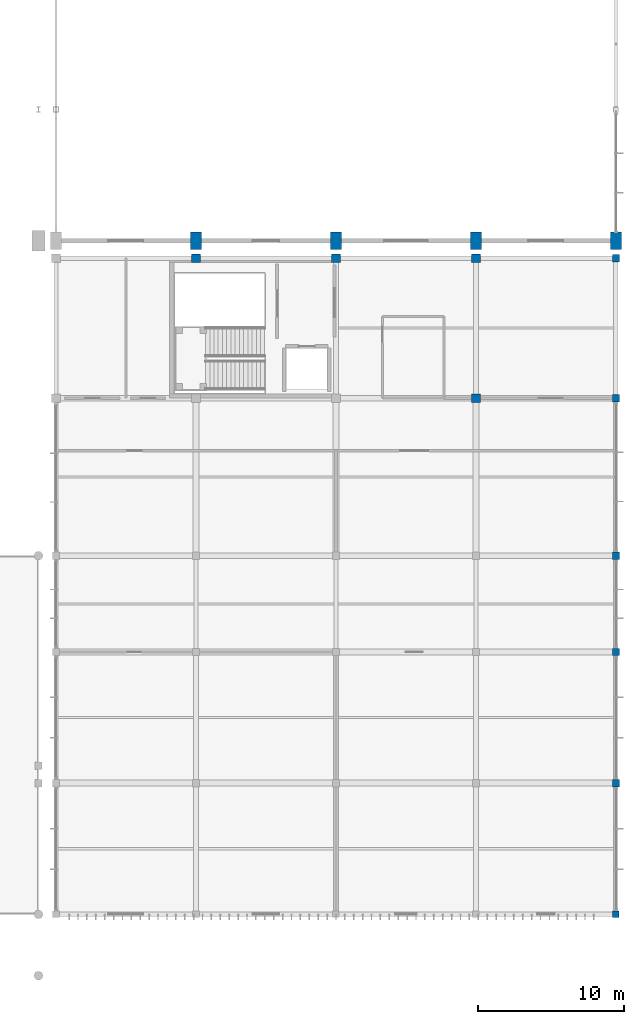
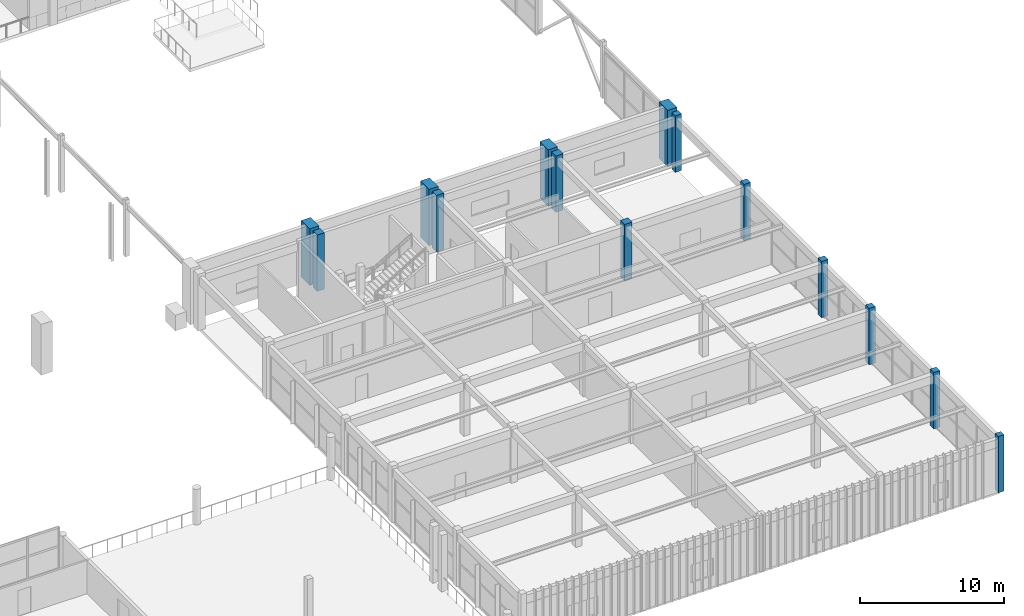
# One storey, part 8 of 74: 14 columns.
"""IFC4 building model written with IfcOpenShell, lengths in metres."""

from ifc_helpers import new_model, si_unit, direction, frame, origin, origin_2d, place, context, subcontext, project, spatial, rectangle, extrude, material, material_profile, profile_set, type_object, element, save


model = new_model("IFC4")

# Units and contexts
model_context = context("Model", 3, precision=1e-05, world=origin(), true_north=direction((0.0, 1.0)))
body_context = subcontext(model_context, "Body", "Model", "MODEL_VIEW")
ifc_project = project(units=[si_unit("LENGTHUNIT", "METRE"), si_unit("AREAUNIT", "SQUARE_METRE"), si_unit("VOLUMEUNIT", "CUBIC_METRE"), si_unit("PLANEANGLEUNIT", "RADIAN"), si_unit("MASSUNIT", "GRAM", prefix="KILO")], contexts=[model_context])

# Site, building, storey
site_placement = place(None, origin())
site = spatial("IfcSite", under=ifc_project, at=site_placement, CompositionType="ELEMENT")
building_placement = place(site_placement, origin())
building = spatial("IfcBuilding", under=site, at=building_placement, Name="Suirenkawa Promenade Aquatics Centre", CompositionType="ELEMENT")
storey_placement = place(building_placement, frame((0.0, 0.0, 4.800048828125)))
storey = spatial("IfcBuildingStorey", under=building, at=storey_placement, Name="L01", CompositionType="ELEMENT", Elevation=4.800048828125)

# Columns
ifc_material = material(Name="Concrete M40", Category="concrete")
ifc_material_profile_1 = material_profile(ifc_material, rectangle(XDim=0.75, YDim=1.199951171875, at=origin_2d()), Name="RC PIER 750x1200", Category="concrete")
ifc_profile_set_1 = profile_set([ifc_material_profile_1], Name="Concrete M40")
column_type_1 = type_object("IfcColumnType", Name="CT-PIER-750x1200", PredefinedType="COLUMN", material=ifc_profile_set_1)
for number, where, z_axis, x_axis, name in (
    (1, (165.60009765625, 50.39990234375, 0.0), (0.0, 0.0, 1.0), (1.0, 0.0, 0.0), "Column CL-08 COL-0086"),
    (2, (175.199951171875, 50.39990234375, 0.0), (0.0, 0.0, 1.0), (1.0, 0.0, 0.0), "Column CL-08 COL-0090"),
    (3, (184.800048828125, 50.39990234375, 0.0), (0.0, 0.0, 1.0), (1.0, 0.0, 0.0), "Column CL-08 COL-0094"),
    (4, (194.39990234375, 50.39990234375, 0.0), (0.0, 0.0, 1.0), (1.0, 0.0, 0.0), "Column CL-08 COL-0098"),
):
    element("IfcColumn", number, at=place(storey_placement, frame(where, z_axis=z_axis, x_axis=x_axis)), inside=storey, type_object=column_type_1, Name=name, PredefinedType="COLUMN", context=body_context, shape_type="SweptSolid", body=[
        extrude(rectangle(XDim=0.75, YDim=1.199951171875, at=origin_2d()), origin(), (0.0, 0.0, 1.0), 4.800048828125),
    ])
ifc_material_profile_2 = material_profile(ifc_material, rectangle(XDim=0.449951171875, YDim=0.449951171875, at=origin_2d()), Name="RC COL 450x450", Category="concrete")
ifc_profile_set_2 = profile_set([ifc_material_profile_2], Name="Concrete M40")
column_type_2 = type_object("IfcColumnType", Name="CT-RC-450", PredefinedType="COLUMN", material=ifc_profile_set_2)
column_placement = place(storey_placement, frame((194.39990234375, 4.199951171875, 0.0), z_axis=(0.0, 0.0, 1.0), x_axis=(1.0, 0.0, 0.0)))
element("IfcColumn", 5, at=column_placement, inside=storey, type_object=column_type_2, Name="Column CL-01 COL-0934", PredefinedType="COLUMN", context=body_context, shape_type="SweptSolid", body=[
    extrude(rectangle(XDim=0.449951171875, YDim=0.449951171875, at=origin_2d()), origin(), (0.0, 0.0, 1.0), 4.800048828125),
])
ifc_material_profile_3 = material_profile(ifc_material, rectangle(XDim=0.5, YDim=0.5, at=origin_2d()), Name="RC COL 500x500", Category="concrete")
ifc_profile_set_3 = profile_set([ifc_material_profile_3], Name="Concrete M40")
column_type_3 = type_object("IfcColumnType", Name="CT-RC-500", PredefinedType="COLUMN", material=ifc_profile_set_3)
for number, where, z_axis, x_axis, name in (
    (6, (194.39990234375, 13.199951171875, 0.0), (0.0, 0.0, 1.0), (1.0, 0.0, 0.0), "Column CL-02 COL-0698"),
    (7, (194.39990234375, 22.199951171875, 0.0), (0.0, 0.0, 1.0), (1.0, 0.0, 0.0), "Column CL-02 COL-0702"),
    (8, (194.39990234375, 28.800048828125, 0.0), (0.0, 0.0, 1.0), (1.0, 0.0, 0.0), "Column CL-02 COL-0706"),
    (9, (194.39990234375, 39.60009765625, 0.0), (0.0, 0.0, 1.0), (1.0, 0.0, 0.0), "Column CL-02 COL-0710"),
    (10, (194.39990234375, 49.199951171875, 0.0), (0.0, 0.0, 1.0), (1.0, 0.0, 0.0), "Column CL-02 COL-0714"),
):
    element("IfcColumn", number, at=place(storey_placement, frame(where, z_axis=z_axis, x_axis=x_axis)), inside=storey, type_object=column_type_3, Name=name, PredefinedType="COLUMN", context=body_context, shape_type="SweptSolid", body=[
        extrude(rectangle(XDim=0.5, YDim=0.5, at=origin_2d()), origin(), (0.0, 0.0, 1.0), 4.800048828125),
    ])
ifc_material_profile_4 = material_profile(ifc_material, rectangle(XDim=0.60009765625, YDim=0.60009765625, at=origin_2d()), Name="RC COL 600x600", Category="concrete")
ifc_profile_set_4 = profile_set([ifc_material_profile_4], Name="Concrete M40")
column_type_4 = type_object("IfcColumnType", Name="CT-RC-600", PredefinedType="COLUMN", material=ifc_profile_set_4)
for number, where, z_axis, x_axis, name in (
    (11, (165.60009765625, 49.199951171875, 0.0), (0.0, 0.0, 1.0), (1.0, 0.0, 0.0), "Column CL-03 COL-0469"),
    (12, (175.199951171875, 49.199951171875, 0.0), (0.0, 0.0, 1.0), (1.0, 0.0, 0.0), "Column CL-03 COL-0479"),
    (13, (184.800048828125, 39.60009765625, 0.0), (0.0, 0.0, 1.0), (1.0, 0.0, 0.0), "Column CL-03 COL-0484"),
    (14, (184.800048828125, 49.199951171875, 0.0), (0.0, 0.0, 1.0), (1.0, 0.0, 0.0), "Column CL-03 COL-0489"),
):
    element("IfcColumn", number, at=place(storey_placement, frame(where, z_axis=z_axis, x_axis=x_axis)), inside=storey, type_object=column_type_4, Name=name, PredefinedType="COLUMN", context=body_context, shape_type="SweptSolid", body=[
        extrude(rectangle(XDim=0.60009765625, YDim=0.60009765625, at=origin_2d()), origin(), (0.0, 0.0, 1.0), 4.800048828125),
    ])

save(model, "model.ifc")
